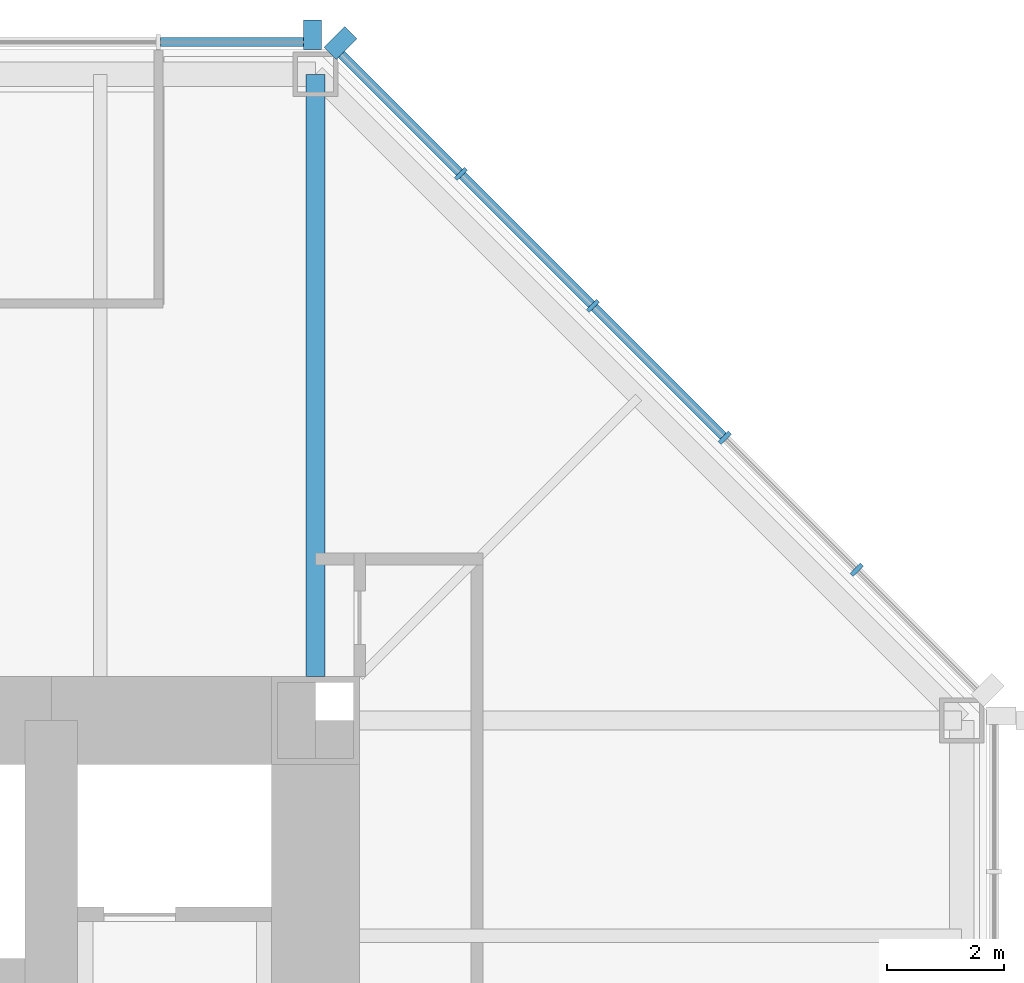
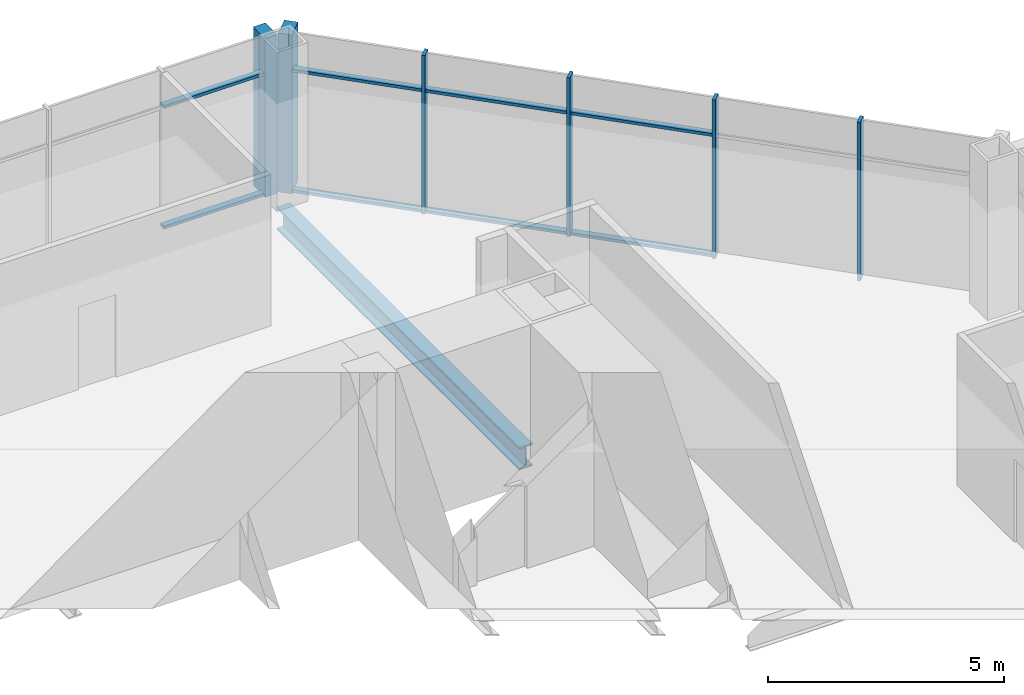
# One storey, part 6 of 12: 14 members, 1 beam, 2 elements without a shape of their own.
"""IFC4 building model written with IfcOpenShell, lengths in metres."""

from ifc_helpers import new_model, si_unit, direction, frame, origin, origin_2d, place, context, subcontext, project, spatial, rectangle, i_section, extrude, material, material_profile, profile_set, type_object, element, aggregate, save


model = new_model("IFC4")

# Units and contexts
model_context = context("Model", 3, precision=1e-05, world=origin(), true_north=direction((0.0, 1.0)))
body_context = subcontext(model_context, "Body", "Model", "MODEL_VIEW")
ifc_project = project(units=[si_unit("LENGTHUNIT", "METRE"), si_unit("AREAUNIT", "SQUARE_METRE"), si_unit("VOLUMEUNIT", "CUBIC_METRE"), si_unit("PLANEANGLEUNIT", "RADIAN"), si_unit("MASSUNIT", "GRAM", prefix="KILO")], contexts=[model_context])

# Site, building, storey
site_placement = place(None, origin())
site = spatial("IfcSite", under=ifc_project, at=site_placement, CompositionType="ELEMENT")
building_placement = place(site_placement, origin())
building = spatial("IfcBuilding", under=site, at=building_placement, Name="Trevanion Tower", CompositionType="ELEMENT")
storey_placement = place(building_placement, frame((0.0, 0.0, 141.800048828125)))
storey = spatial("IfcBuildingStorey", under=building, at=storey_placement, Name="L33", CompositionType="ELEMENT", Elevation=141.800048828125)

# Curtain wall, members
ifc_material_1 = material(Name="Aluminium and glass", Category="aluminium")
curtain_wall_type = type_object("IfcCurtainWallType", Name="CW2 curtain wall", PredefinedType="USERDEFINED", material=ifc_material_1)
curtain_wall_1_placement = place(storey_placement, origin())
curtain_wall_1 = element("IfcCurtainWall", 1, at=curtain_wall_1_placement, inside=storey, type_object=curtain_wall_type, Name="CW2 L33 1", ObjectType="UNITISED CURTAIN WALL", PredefinedType="USERDEFINED")
ifc_material_2 = material(Name="Aluminium extrusion, anodised bronze", Category="aluminium")
ifc_material_profile_1 = material_profile(ifc_material_2, rectangle(XDim=0.074951171875, YDim=0.25, at=origin_2d()), Name="CW2 mullion")
ifc_profile_set_1 = profile_set([ifc_material_profile_1], Name="Aluminium extrusion, anodised bronze")
member_type_1 = type_object("IfcMemberType", Name="CW2 mullion", PredefinedType="MULLION", material=ifc_profile_set_1)
member_1_placement = place(storey_placement, frame((20.2119140625, 13.56591796875, -0.18994140625), z_axis=(0.0, 0.0, 1.0), x_axis=(-0.707106781187, 0.707106781187, 0.0)))
member_1 = element("IfcMember", 2, at=member_1_placement, type_object=member_type_1, Name="CW2 mullion 2", PredefinedType="MULLION", context=body_context, shape_type="SweptSolid", body=[
    extrude(rectangle(XDim=0.074951171875, YDim=0.25, at=origin_2d()), origin(), (0.0, 0.0, 1.0), 4.099853515625),
])
member_2_placement = place(storey_placement, frame((17.966064453125, 15.811767578125, -0.18994140625), z_axis=(0.0, 0.0, 1.0), x_axis=(-0.707106781187, 0.707106781187, 0.0)))
member_2 = element("IfcMember", 3, at=member_2_placement, type_object=member_type_1, Name="CW2 mullion 3", PredefinedType="MULLION", context=body_context, shape_type="SweptSolid", body=[
    extrude(rectangle(XDim=0.074951171875, YDim=0.25, at=origin_2d()), origin(), (0.0, 0.0, 1.0), 4.099853515625),
])
member_3_placement = place(storey_placement, frame((15.719970703125, 18.057861328125, -0.18994140625), z_axis=(0.0, 0.0, 1.0), x_axis=(-0.707106781187, 0.707106781187, 0.0)))
member_3 = element("IfcMember", 4, at=member_3_placement, type_object=member_type_1, Name="CW2 mullion 4", PredefinedType="MULLION", context=body_context, shape_type="SweptSolid", body=[
    extrude(rectangle(XDim=0.074951171875, YDim=0.25, at=origin_2d()), origin(), (0.0, 0.0, 1.0), 4.099853515625),
])
member_4_placement = place(storey_placement, frame((13.473876953125, 20.303955078125, -0.18994140625), z_axis=(0.0, 0.0, 1.0), x_axis=(-0.707106781187, 0.707106781187, 0.0)))
member_4 = element("IfcMember", 5, at=member_4_placement, type_object=member_type_1, Name="CW2 mullion 5", PredefinedType="MULLION", context=body_context, shape_type="SweptSolid", body=[
    extrude(rectangle(XDim=0.074951171875, YDim=0.25, at=origin_2d()), origin(), (0.0, 0.0, 1.0), 4.099853515625),
])
ifc_material_3 = material(Name="Aluminium extrusion, anodised bronze", Category="aluminium")
ifc_material_profile_2 = material_profile(ifc_material_3, rectangle(XDim=0.300048828125, YDim=0.5, at=origin_2d()), Name="CW2 pier mullion")
ifc_profile_set_2 = profile_set([ifc_material_profile_2], Name="Aluminium extrusion, anodised bronze")
member_type_2 = type_object("IfcMemberType", Name="CW2 pier mullion", PredefinedType="MULLION", material=ifc_profile_set_2)
member_5_placement = place(storey_placement, frame((11.42236328125, 22.5322265625, -0.18994140625), z_axis=(0.0, 0.0, 1.0), x_axis=(-0.707106781187, 0.707106781187, 0.0)))
member_5 = element("IfcMember", 6, at=member_5_placement, type_object=member_type_2, Name="CW2 pier mullion 6", PredefinedType="MULLION", context=body_context, shape_type="SweptSolid", body=[
    extrude(rectangle(XDim=0.300048828125, YDim=0.5, at=origin_2d()), origin(), (0.0, 0.0, 1.0), 4.099853515625),
])

# Curtain wall, member
curtain_wall_2_placement = place(storey_placement, origin())
curtain_wall_2 = element("IfcCurtainWall", 7, at=curtain_wall_2_placement, inside=storey, type_object=curtain_wall_type, Name="CW2 L33 2", ObjectType="UNITISED CURTAIN WALL", PredefinedType="USERDEFINED")
member_6_placement = place(storey_placement, frame((10.94775390625, 22.675048828125, -0.18994140625), z_axis=(0.0, 0.0, 1.0), x_axis=(-1.0, 0.0, 0.0)))
member_6 = element("IfcMember", 8, at=member_6_placement, type_object=member_type_2, Name="CW2 pier mullion 1", PredefinedType="MULLION", context=body_context, shape_type="SweptSolid", body=[
    extrude(rectangle(XDim=0.300048828125, YDim=0.5, at=origin_2d()), origin(), (0.0, 0.0, 1.0), 4.099853515625),
])

# Member
ifc_material_4 = material(Name="Aluminium extrusion, anodised bronze", Category="aluminium")
ifc_material_profile_3 = material_profile(ifc_material_4, rectangle(XDim=0.14990234375, YDim=0.074951171875, at=origin_2d()), Name="CW2 transom")
ifc_profile_set_3 = profile_set([ifc_material_profile_3], Name="Aluminium extrusion, anodised bronze")
member_type_3 = type_object("IfcMemberType", Name="CW2 transom", PredefinedType="USERDEFINED", material=ifc_profile_set_3)
member_7_placement = place(storey_placement, frame((17.939453125, 15.83837890625, -0.152587890625), z_axis=(-0.707106781187, 0.707106781187, 0.0), x_axis=(-0.707106781187, -0.707106781187, 0.0)))
member_7 = element("IfcMember", 9, at=member_7_placement, type_object=member_type_3, Name="CW2 transom 3.1", ObjectType="TRANSOM", PredefinedType="USERDEFINED", context=body_context, shape_type="SweptSolid", body=[
    extrude(rectangle(XDim=0.14990234375, YDim=0.074951171875, at=origin_2d()), origin(), (0.0, 0.0, 1.0), 3.1015625),
])

member_8_placement = place(storey_placement, frame((17.939453125, 15.83837890625, 2.9599609375), z_axis=(-0.707106781187, 0.707106781187, 0.0), x_axis=(-0.707106781187, -0.707106781187, 0.0)))
member_8 = element("IfcMember", 10, at=member_8_placement, type_object=member_type_3, Name="CW2 transom 3.2", ObjectType="TRANSOM", PredefinedType="USERDEFINED", context=body_context, shape_type="SweptSolid", body=[
    extrude(rectangle(XDim=0.14990234375, YDim=0.074951171875, at=origin_2d()), origin(), (0.0, 0.0, 1.0), 3.1015625),
])

member_9_placement = place(storey_placement, frame((15.693359375, 18.08447265625, -0.152587890625), z_axis=(-0.707106781187, 0.707106781187, 0.0), x_axis=(-0.707106781187, -0.707106781187, 0.0)))
member_9 = element("IfcMember", 11, at=member_9_placement, type_object=member_type_3, Name="CW2 transom 4.1", ObjectType="TRANSOM", PredefinedType="USERDEFINED", context=body_context, shape_type="SweptSolid", body=[
    extrude(rectangle(XDim=0.14990234375, YDim=0.074951171875, at=origin_2d()), origin(), (0.0, 0.0, 1.0), 3.10107421875),
])

member_10_placement = place(storey_placement, frame((15.693359375, 18.08447265625, 2.9599609375), z_axis=(-0.707106781187, 0.707106781187, 0.0), x_axis=(-0.707106781187, -0.707106781187, 0.0)))
member_10 = element("IfcMember", 12, at=member_10_placement, type_object=member_type_3, Name="CW2 transom 4.2", ObjectType="TRANSOM", PredefinedType="USERDEFINED", context=body_context, shape_type="SweptSolid", body=[
    extrude(rectangle(XDim=0.14990234375, YDim=0.074951171875, at=origin_2d()), origin(), (0.0, 0.0, 1.0), 3.10107421875),
])

member_11_placement = place(storey_placement, frame((13.447509765625, 20.33056640625, -0.152587890625), z_axis=(-0.707149778163, 0.707063781595, 0.0), x_axis=(-0.707063781595, -0.707149778163, 0.0)))
member_11 = element("IfcMember", 13, at=member_11_placement, type_object=member_type_3, Name="CW2 transom 5.1", ObjectType="TRANSOM", PredefinedType="USERDEFINED", context=body_context, shape_type="SweptSolid", body=[
    extrude(rectangle(XDim=0.14990234375, YDim=0.074951171875, at=origin_2d()), origin(), (0.0, 0.0, 1.0), 2.8388671875),
])

member_12_placement = place(storey_placement, frame((13.447509765625, 20.33056640625, 2.9599609375), z_axis=(-0.707149778163, 0.707063781595, 0.0), x_axis=(-0.707063781595, -0.707149778163, 0.0)))
member_12 = element("IfcMember", 14, at=member_12_placement, type_object=member_type_3, Name="CW2 transom 5.2", ObjectType="TRANSOM", PredefinedType="USERDEFINED", context=body_context, shape_type="SweptSolid", body=[
    extrude(rectangle(XDim=0.14990234375, YDim=0.074951171875, at=origin_2d()), origin(), (0.0, 0.0, 1.0), 2.8388671875),
])

aggregate(curtain_wall_1, [member_1, member_2, member_3, member_4, member_5, member_7, member_8, member_9, member_10, member_11, member_12])

member_13_placement = place(storey_placement, frame((10.7978515625, 22.550048828125, -0.152587890625), z_axis=(-1.0, 0.0, 0.0), x_axis=(0.0, -1.0, 0.0)))
member_13 = element("IfcMember", 15, at=member_13_placement, type_object=member_type_3, Name="CW2 transom 1.1", ObjectType="TRANSOM", PredefinedType="USERDEFINED", context=body_context, shape_type="SweptSolid", body=[
    extrude(rectangle(XDim=0.14990234375, YDim=0.074951171875, at=origin_2d()), origin(), (0.0, 0.0, 1.0), 2.43701171875),
])

member_14_placement = place(storey_placement, frame((10.7978515625, 22.550048828125, 2.9599609375), z_axis=(-1.0, 0.0, 0.0), x_axis=(0.0, -1.0, 0.0)))
member_14 = element("IfcMember", 16, at=member_14_placement, type_object=member_type_3, Name="CW2 transom 1.2", ObjectType="TRANSOM", PredefinedType="USERDEFINED", context=body_context, shape_type="SweptSolid", body=[
    extrude(rectangle(XDim=0.14990234375, YDim=0.074951171875, at=origin_2d()), origin(), (0.0, 0.0, 1.0), 2.43701171875),
])

aggregate(curtain_wall_2, [member_6, member_13, member_14])

# Beam
ifc_material_5 = material(Name="Steel ASTM A992 Grade 50", Category="steel")
ifc_material_profile_4 = material_profile(ifc_material_5, i_section(OverallWidth=0.320068359375, OverallDepth=0.584228515625, WebThickness=0.023193359375, FlangeThickness=0.04150390625, at=origin_2d()), Name="W21X201")
ifc_profile_set_4 = profile_set([ifc_material_profile_4], Name="Steel ASTM A992 Grade 50")
beam_type = type_object("IfcBeamType", Name="G4 W21X201", PredefinedType="BEAM", material=ifc_profile_set_4)
beam_placement = place(storey_placement, frame((11.0, 11.75, -0.482177734375), z_axis=(0.0, 1.0, 0.0), x_axis=(-1.0, 0.0, 0.0)))
element("IfcBeam", 17, at=beam_placement, inside=storey, type_object=beam_type, Name="G4 L33", PredefinedType="BEAM", context=body_context, shape_type="SweptSolid", body=[
    extrude(i_section(OverallWidth=0.320068359375, OverallDepth=0.584228515625, WebThickness=0.023193359375, FlangeThickness=0.04150390625, at=origin_2d()), origin(), (0.0, 0.0, 1.0), 10.25),
])

save(model, "model.ifc")
